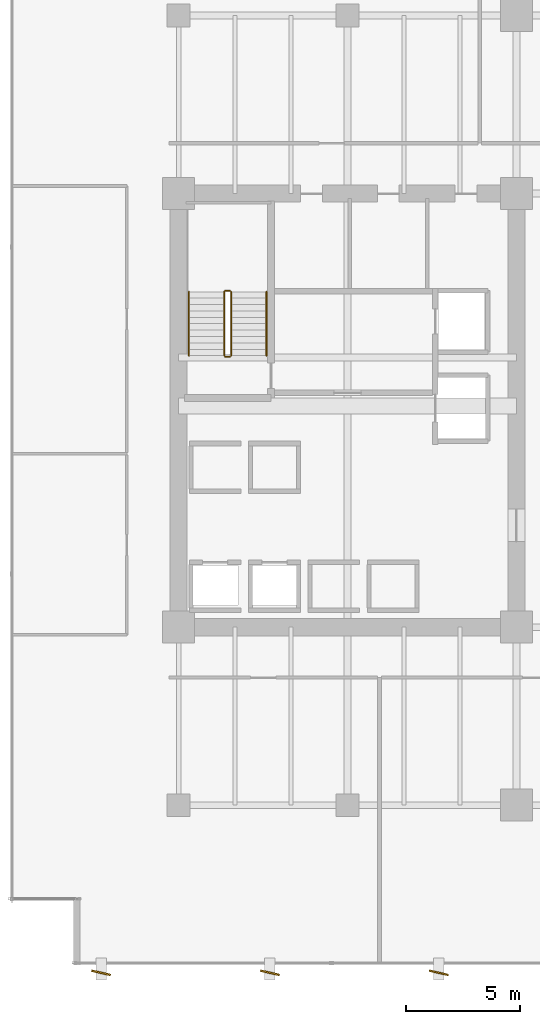
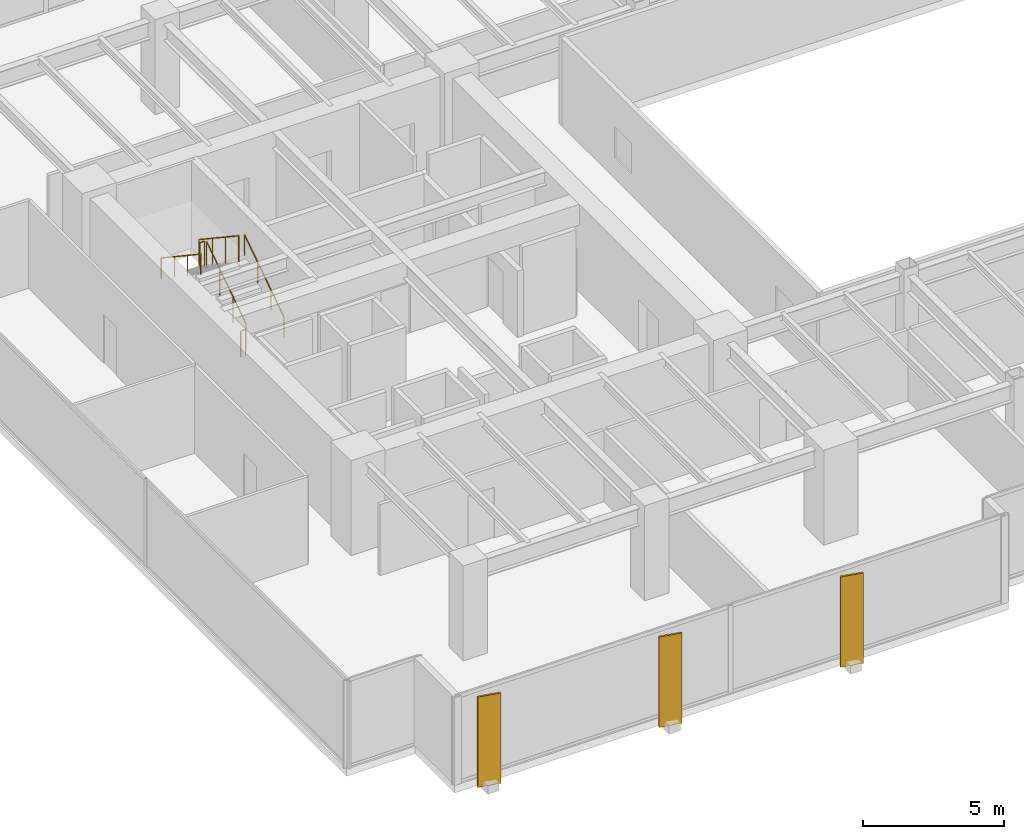
# One storey, part 34 of 36: 6 railings, 3 shading devices.
"""IFC4 building model written with IfcOpenShell, lengths in metres."""

from ifc_helpers import new_model, si_unit, direction, frame, origin, origin_2d, place, context, subcontext, project, spatial, rectangle, circle, extrude, source, transform, mapped, material, material_profile, profile_set, type_object, type_shapes, element, save


model = new_model("IFC4")

# Units and contexts
model_context = context("Model", 3, precision=1e-05, world=origin(), true_north=direction((0.0, 1.0)))
body_context = subcontext(model_context, "Body", "Model", "MODEL_VIEW")
ifc_project = project(units=[si_unit("LENGTHUNIT", "METRE"), si_unit("AREAUNIT", "SQUARE_METRE"), si_unit("VOLUMEUNIT", "CUBIC_METRE"), si_unit("PLANEANGLEUNIT", "RADIAN"), si_unit("MASSUNIT", "GRAM", prefix="KILO")], contexts=[model_context])

# Site, building, storey
site_placement = place(None, origin())
site = spatial("IfcSite", under=ifc_project, at=site_placement, CompositionType="ELEMENT")
building_placement = place(site_placement, origin())
building = spatial("IfcBuilding", under=site, at=building_placement, Name="Haelvirn Gate Laboratories", CompositionType="ELEMENT")
storey_placement = place(building_placement, frame((0.0, 0.0, 29.300048828125)))
storey = spatial("IfcBuildingStorey", under=building, at=storey_placement, Name="L07", CompositionType="ELEMENT", Elevation=29.300048828125)

# Shading devices
ifc_material_1 = material(Name="Extruded aluminium 6063-T6 (anodised bronze)", Category="aluminium")
ifc_material_profile = material_profile(ifc_material_1, rectangle(XDim=0.074951171875, YDim=0.85009765625, at=origin_2d()), Name="FIN-850x75")
ifc_profile_set = profile_set([ifc_material_profile], Name="Extruded aluminium 6063-T6 (anodised bronze)")
shading_device_type = type_object("IfcShadingDeviceType", Name="SHD-FIN-850", PredefinedType="USERDEFINED", material=ifc_profile_set)
shared_shape_1 = source(origin(), body_context, "Body", "SweptSolid", [
    extrude(rectangle(XDim=0.074951171875, YDim=0.85009765625, at=origin_2d()), origin(), (0.0, 0.0, 1.0), 3.89990234375),
])
type_shapes(shading_device_type, [shared_shape_1])
for number, where, z_axis, x_axis, name in (
    (1, (4.0, -0.344970703125, -0.179931640625), (0.0, 0.0, 1.0), (0.221548497619, 0.975149354306, 0.0), "L07 Fluted Bronze Vertical Fin S01"),
    (2, (11.39990234375, -0.344970703125, -0.179931640625), (0.0, 0.0, 1.0), (0.221548497619, 0.975149354306, 0.0), "L07 Fluted Bronze Vertical Fin S02"),
    (3, (18.800048828125, -0.344970703125, -0.179931640625), (0.0, 0.0, 1.0), (0.221548497619, 0.975149354306, 0.0), "L07 Fluted Bronze Vertical Fin S03"),
):
    element("IfcShadingDevice", number, at=place(storey_placement, frame(where, z_axis=z_axis, x_axis=x_axis)), inside=storey, type_object=shading_device_type, Name=name, ObjectType="FIN", PredefinedType="USERDEFINED", context=body_context, shape_type="MappedRepresentation", body=[
        mapped(shared_shape_1, transform((0.0, 0.0, 0.0), scale=1.0)),
    ])

# Railings
ifc_material_2 = material(Name="Galvanised steel SM355 & stainless top rail", Category="steel")
railing_type_1 = type_object("IfcRailingType", Name="RL-GUARD-1150", PredefinedType="GUARDRAIL", material=ifc_material_2)
shared_shape_2 = source(origin(), body_context, "Body", "SweptSolid", [
    extrude(circle(Radius=0.02392578125, at=origin_2d()), frame((0.0, 0.0, 1.1259765625), z_axis=(-1.0, 0.0, 0.0), x_axis=(0.0, -1.0, 0.0)), (0.0, 0.0, 1.0), 0.199951171875),
    extrude(circle(Radius=0.02099609375, at=origin_2d()), origin(), (0.0, 0.0, 1.0), 1.101806640625),
    extrude(circle(Radius=0.02099609375, at=origin_2d()), frame((-0.199951171875, 0.0, 0.0)), (0.0, 0.0, 1.0), 1.101806640625),
])
for number, where, name in (
    (4, (9.64990234375, 29.550048828125, 2.050048828125), "L07 ST1 stair guard 2"),
    (5, (9.64990234375, 26.64990234375, 0.0), "L07 ST1 stair guard 4"),
):
    element("IfcRailing", number, at=place(storey_placement, frame(where)), inside=storey, type_object=railing_type_1, Name=name, PredefinedType="GUARDRAIL", context=body_context, shape_type="MappedRepresentation", body=[
        mapped(shared_shape_2, transform((0.0, 0.0, 0.0), scale=1.0)),
    ])
shared_shape_3 = source(origin(), body_context, "Body", "SweptSolid", [
    extrude(circle(Radius=0.02392578125, at=origin_2d()), frame((0.0, 0.0, 1.1259765625), z_axis=(0.0, 0.832452072856, 0.554097055034), x_axis=(-1.0, 0.0, 0.0)), (0.0, 0.0, 1.0), 3.363525390625),
    extrude(circle(Radius=0.02099609375, at=origin_2d()), origin(), (0.0, 0.0, 1.0), 1.101806640625),
    extrude(circle(Radius=0.02099609375, at=origin_2d()), frame((0.0, 0.933349609375, 0.621337890625)), (0.0, 0.0, 1.0), 1.101806640625),
    extrude(circle(Radius=0.02099609375, at=origin_2d()), frame((0.0, 1.86669921875, 1.242431640625)), (0.0, 0.0, 1.0), 1.101806640625),
    extrude(circle(Radius=0.02099609375, at=origin_2d()), frame((0.0, 2.800048828125, 1.86376953125)), (0.0, 0.0, 1.0), 1.101806640625),
])
railing_1_placement = place(storey_placement, frame((9.699951171875, 26.699951171875, 0.186279296875)))
element("IfcRailing", 6, at=railing_1_placement, inside=storey, type_object=railing_type_1, Name="L07 ST1 stair guard 1", PredefinedType="GUARDRAIL", context=body_context, shape_type="MappedRepresentation", body=[
    mapped(shared_shape_3, transform((0.0, 0.0, 0.0), scale=1.0)),
])
shared_shape_4 = source(origin(), body_context, "Body", "SweptSolid", [
    extrude(circle(Radius=0.02392578125, at=origin_2d()), frame((0.0, 0.0, 1.1259765625), z_axis=(0.0, -0.832485552168, 0.554046753832), x_axis=(1.0, 0.0, 0.0)), (0.0, 0.0, 1.0), 3.363525390625),
    extrude(circle(Radius=0.02099609375, at=origin_2d()), origin(), (0.0, 0.0, 1.0), 1.101806640625),
    extrude(circle(Radius=0.02099609375, at=origin_2d()), frame((0.0, -0.933349609375, 0.62109375)), (0.0, 0.0, 1.0), 1.101806640625),
    extrude(circle(Radius=0.02099609375, at=origin_2d()), frame((0.0, -1.86669921875, 1.242431640625)), (0.0, 0.0, 1.0), 1.101806640625),
    extrude(circle(Radius=0.02099609375, at=origin_2d()), frame((0.0, -2.800048828125, 1.863525390625)), (0.0, 0.0, 1.0), 1.101806640625),
])
type_shapes(railing_type_1, [shared_shape_2, shared_shape_3, shared_shape_4])
railing_2_placement = place(storey_placement, frame((9.39990234375, 29.5, 2.236328125)))
element("IfcRailing", 7, at=railing_2_placement, inside=storey, type_object=railing_type_1, Name="L07 ST1 stair guard 3", PredefinedType="GUARDRAIL", context=body_context, shape_type="MappedRepresentation", body=[
    mapped(shared_shape_4, transform((0.0, 0.0, 0.0), scale=1.0)),
])
ifc_material_3 = material(Name="Brushed stainless steel 316L", Category="steel")
railing_type_2 = type_object("IfcRailingType", Name="RL-HAND-920", PredefinedType="HANDRAIL", material=ifc_material_3)
shared_shape_5 = source(origin(), body_context, "Body", "SweptSolid", [
    extrude(circle(Radius=0.02392578125, at=origin_2d()), frame((0.0, 0.0, 0.8759765625), z_axis=(0.0, 0.832452072856, 0.554097055034), x_axis=(-1.0, 0.0, 0.0)), (0.0, 0.0, 1.0), 3.363525390625),
    extrude(circle(Radius=0.02099609375, at=origin_2d()), origin(), (0.0, 0.0, 1.0), 0.851806640625),
    extrude(circle(Radius=0.02099609375, at=origin_2d()), frame((0.0, 0.933349609375, 0.621337890625)), (0.0, 0.0, 1.0), 0.851806640625),
    extrude(circle(Radius=0.02099609375, at=origin_2d()), frame((0.0, 1.86669921875, 1.242431640625)), (0.0, 0.0, 1.0), 0.851806640625),
    extrude(circle(Radius=0.02099609375, at=origin_2d()), frame((0.0, 2.800048828125, 1.86376953125)), (0.0, 0.0, 1.0), 0.851806640625),
])
railing_3_placement = place(storey_placement, frame((11.25, 26.699951171875, 0.186279296875)))
element("IfcRailing", 8, at=railing_3_placement, inside=storey, type_object=railing_type_2, Name="L07 ST1 stair handrail 1", PredefinedType="HANDRAIL", context=body_context, shape_type="MappedRepresentation", body=[
    mapped(shared_shape_5, transform((0.0, 0.0, 0.0), scale=1.0)),
])
shared_shape_6 = source(origin(), body_context, "Body", "SweptSolid", [
    extrude(circle(Radius=0.02392578125, at=origin_2d()), frame((0.0, 0.0, 0.8759765625), z_axis=(0.0, -0.832485552168, 0.554046753832), x_axis=(1.0, 0.0, 0.0)), (0.0, 0.0, 1.0), 3.363525390625),
    extrude(circle(Radius=0.02099609375, at=origin_2d()), origin(), (0.0, 0.0, 1.0), 0.851806640625),
    extrude(circle(Radius=0.02099609375, at=origin_2d()), frame((0.0, -0.933349609375, 0.62109375)), (0.0, 0.0, 1.0), 0.851806640625),
    extrude(circle(Radius=0.02099609375, at=origin_2d()), frame((0.0, -1.86669921875, 1.242431640625)), (0.0, 0.0, 1.0), 0.851806640625),
    extrude(circle(Radius=0.02099609375, at=origin_2d()), frame((0.0, -2.800048828125, 1.863525390625)), (0.0, 0.0, 1.0), 0.851806640625),
])
type_shapes(railing_type_2, [shared_shape_5, shared_shape_6])
railing_4_placement = place(storey_placement, frame((7.85009765625, 29.5, 2.236328125)))
element("IfcRailing", 9, at=railing_4_placement, inside=storey, type_object=railing_type_2, Name="L07 ST1 stair handrail 2", PredefinedType="HANDRAIL", context=body_context, shape_type="MappedRepresentation", body=[
    mapped(shared_shape_6, transform((0.0, 0.0, 0.0), scale=1.0)),
])

save(model, "model.ifc")
